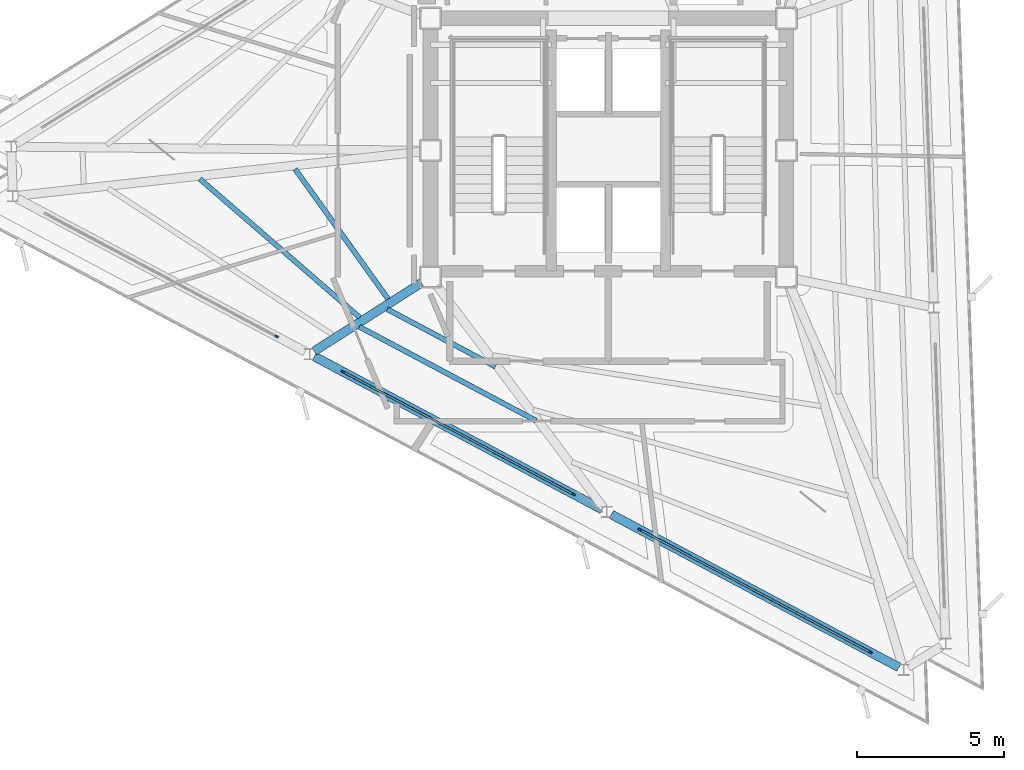
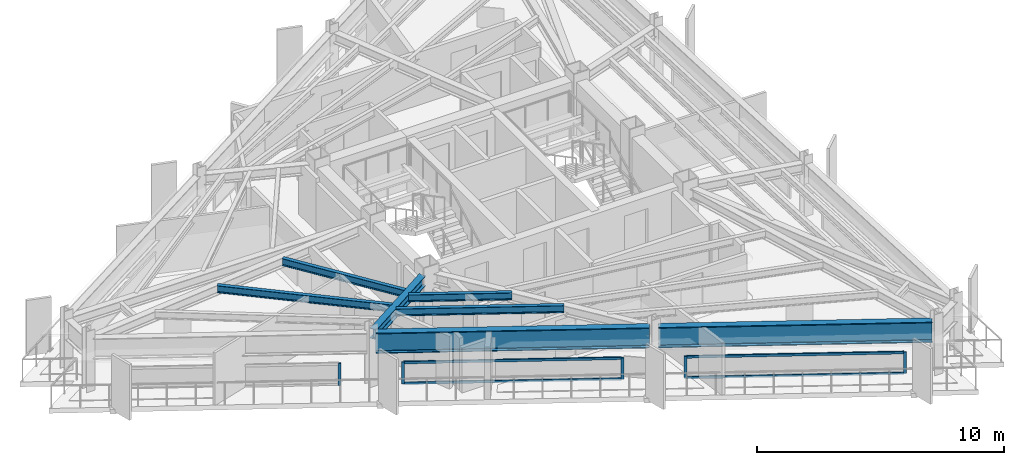
# One storey, part 2 of 13: 9 members, 7 beams, 3 elements without a shape of their own.
"""IFC4 building model written with IfcOpenShell, lengths in metres."""

from ifc_helpers import new_model, si_unit, direction, frame, origin, origin_2d, place, context, subcontext, project, spatial, rectangle, i_section, extrude, material, layer, layer_set, material_profile, profile_set, type_object, element, aggregate, save


model = new_model("IFC4")

# Units and contexts
model_context = context("Model", 3, precision=1e-05, world=origin(), true_north=direction((0.0, 1.0)))
body_context = subcontext(model_context, "Body", "Model", "MODEL_VIEW")
ifc_project = project(units=[si_unit("LENGTHUNIT", "METRE"), si_unit("AREAUNIT", "SQUARE_METRE"), si_unit("VOLUMEUNIT", "CUBIC_METRE"), si_unit("PLANEANGLEUNIT", "RADIAN"), si_unit("MASSUNIT", "GRAM", prefix="KILO")], contexts=[model_context])

# Site, building, storey
site_placement = place(None, origin())
site = spatial("IfcSite", under=ifc_project, at=site_placement, CompositionType="ELEMENT")
building_placement = place(site_placement, origin())
building = spatial("IfcBuilding", under=site, at=building_placement, Name="Rocaltana Carrier Exchange", CompositionType="ELEMENT")
storey_placement = place(building_placement, frame((0.0, 0.0, 211.840087890625)))
storey = spatial("IfcBuildingStorey", under=building, at=storey_placement, Name="L67", CompositionType="ELEMENT", Elevation=211.840087890625)

# Curtain wall, member
ifc_material_1 = material(Name="Aluminium 6063-T6", Category="aluminium")
ifc_layer = layer(ifc_material_1, 0.1201171875)
ifc_layer_set = layer_set([ifc_layer], Name="Aluminium 6063-T6")
curtain_wall_type = type_object("IfcCurtainWallType", Name="High-Altitude Thermal Curtain Wall CW-05", PredefinedType="NOTDEFINED", material=ifc_layer_set)
curtain_wall_1_placement = place(storey_placement, origin())
curtain_wall_1 = element("IfcCurtainWall", 1, at=curtain_wall_1_placement, inside=storey, type_object=curtain_wall_type, Name="L67 CW-05 Run CW-L67-F3S1", PredefinedType="NOTDEFINED")
ifc_material_2 = material(Name="Aluminium 6063-T6", Category="aluminium")
ifc_material_profile_1 = material_profile(ifc_material_2, rectangle(XDim=0.06005859375, YDim=0.1201171875, at=origin_2d()), Name="AL-60X120")
ifc_profile_set_1 = profile_set([ifc_material_profile_1], Name="Aluminium 6063-T6")
member_type_1 = type_object("IfcMemberType", Name="CW-05 Mullion AL-60X120", PredefinedType="MULLION", material=ifc_profile_set_1)
member_1_placement = place(storey_placement, frame((-11.282958984375, -6.31689453125, 0.0), z_axis=(0.0, 0.0, 1.0), x_axis=(0.469483388841, 0.882941304732, 0.0)))
member_1 = element("IfcMember", 2, at=member_1_placement, type_object=member_type_1, Name="CW-05 mullion 2", PredefinedType="MULLION", context=body_context, shape_type="SweptSolid", body=[
    extrude(rectangle(XDim=0.06005859375, YDim=0.1201171875, at=origin_2d()), origin(), (0.0, 0.0, 1.0), 1.077880859375),
])
aggregate(curtain_wall_1, [member_1])

# Curtain wall, members
curtain_wall_2_placement = place(storey_placement, origin())
curtain_wall_2 = element("IfcCurtainWall", 3, at=curtain_wall_2_placement, inside=storey, type_object=curtain_wall_type, Name="L67 CW-05 Run CW-L67-F3S2", PredefinedType="NOTDEFINED")
member_2_placement = place(storey_placement, frame((-9.0224609375, -7.5185546875, 0.0), z_axis=(0.0, 0.0, 1.0), x_axis=(0.469479302335, 0.882943477624, 0.0)))
member_2 = element("IfcMember", 4, at=member_2_placement, type_object=member_type_1, Name="CW-05 mullion 1", PredefinedType="MULLION", context=body_context, shape_type="SweptSolid", body=[
    extrude(rectangle(XDim=0.06005859375, YDim=0.1201171875, at=origin_2d()), origin(), (0.0, 0.0, 1.0), 1.077880859375),
])
member_3_placement = place(storey_placement, frame((-1.18798828125, -11.684326171875, 0.0), z_axis=(0.0, 0.0, 1.0), x_axis=(0.469479302335, 0.882943477624, 0.0)))
member_3 = element("IfcMember", 5, at=member_3_placement, type_object=member_type_1, Name="CW-05 mullion 2", PredefinedType="MULLION", context=body_context, shape_type="SweptSolid", body=[
    extrude(rectangle(XDim=0.06005859375, YDim=0.1201171875, at=origin_2d()), origin(), (0.0, 0.0, 1.0), 1.077880859375),
])

curtain_wall_3_placement = place(storey_placement, origin())
curtain_wall_3 = element("IfcCurtainWall", 6, at=curtain_wall_3_placement, inside=storey, type_object=curtain_wall_type, Name="L67 CW-05 Run CW-L67-F3S3", PredefinedType="NOTDEFINED")
member_4_placement = place(storey_placement, frame((1.072509765625, -12.88623046875, 0.0), z_axis=(0.0, 0.0, 1.0), x_axis=(0.469474662173, 0.882945944879, 0.0)))
member_4 = element("IfcMember", 7, at=member_4_placement, type_object=member_type_1, Name="CW-05 mullion 1", PredefinedType="MULLION", context=body_context, shape_type="SweptSolid", body=[
    extrude(rectangle(XDim=0.06005859375, YDim=0.1201171875, at=origin_2d()), origin(), (0.0, 0.0, 1.0), 1.077880859375),
])
member_5_placement = place(storey_placement, frame((8.9072265625, -17.052001953125, 0.0), z_axis=(0.0, 0.0, 1.0), x_axis=(0.469474662173, 0.882945944879, 0.0)))
member_5 = element("IfcMember", 8, at=member_5_placement, type_object=member_type_1, Name="CW-05 mullion 2", PredefinedType="MULLION", context=body_context, shape_type="SweptSolid", body=[
    extrude(rectangle(XDim=0.06005859375, YDim=0.1201171875, at=origin_2d()), origin(), (0.0, 0.0, 1.0), 1.077880859375),
])

# Member
ifc_material_3 = material(Name="Aluminium 6063-T6", Category="aluminium")
ifc_material_profile_2 = material_profile(ifc_material_3, rectangle(XDim=0.06005859375, YDim=0.1201171875, at=origin_2d()), Name="AL-60X120")
ifc_profile_set_2 = profile_set([ifc_material_profile_2], Name="Aluminium 6063-T6")
member_type_2 = type_object("IfcMemberType", Name="CW-05 Transom AL-60X120", PredefinedType="USERDEFINED", material=ifc_profile_set_2)
member_6_placement = place(storey_placement, frame((-8.99609375, -7.53271484375, 0.030029296875), z_axis=(0.882944221824, -0.469477902726, 0.0), x_axis=(0.469477902726, 0.882944221824, 0.0)))
member_6 = element("IfcMember", 9, at=member_6_placement, type_object=member_type_2, Name="CW-05 transom 1.1", ObjectType="TRANSOM", PredefinedType="USERDEFINED", context=body_context, shape_type="SweptSolid", body=[
    extrude(rectangle(XDim=0.06005859375, YDim=0.1201171875, at=origin_2d()), origin(), (0.0, 0.0, 1.0), 8.8134765625),
])

member_7_placement = place(storey_placement, frame((-8.99609375, -7.53271484375, 1.0478515625), z_axis=(0.882944221824, -0.469477902726, 0.0), x_axis=(0.469477902726, 0.882944221824, 0.0)))
member_7 = element("IfcMember", 10, at=member_7_placement, type_object=member_type_2, Name="CW-05 transom 1.2", ObjectType="TRANSOM", PredefinedType="USERDEFINED", context=body_context, shape_type="SweptSolid", body=[
    extrude(rectangle(XDim=0.06005859375, YDim=0.1201171875, at=origin_2d()), origin(), (0.0, 0.0, 1.0), 8.8134765625),
])

aggregate(curtain_wall_2, [member_2, member_3, member_6, member_7])

member_8_placement = place(storey_placement, frame((1.098876953125, -12.900146484375, 0.030029296875), z_axis=(0.882944221824, -0.469477902726, 0.0), x_axis=(0.469477902726, 0.882944221824, 0.0)))
member_8 = element("IfcMember", 11, at=member_8_placement, type_object=member_type_2, Name="CW-05 transom 1.1", ObjectType="TRANSOM", PredefinedType="USERDEFINED", context=body_context, shape_type="SweptSolid", body=[
    extrude(rectangle(XDim=0.06005859375, YDim=0.1201171875, at=origin_2d()), origin(), (0.0, 0.0, 1.0), 8.8134765625),
])

member_9_placement = place(storey_placement, frame((1.098876953125, -12.900146484375, 1.0478515625), z_axis=(0.882944221824, -0.469477902726, 0.0), x_axis=(0.469477902726, 0.882944221824, 0.0)))
member_9 = element("IfcMember", 12, at=member_9_placement, type_object=member_type_2, Name="CW-05 transom 1.2", ObjectType="TRANSOM", PredefinedType="USERDEFINED", context=body_context, shape_type="SweptSolid", body=[
    extrude(rectangle(XDim=0.06005859375, YDim=0.1201171875, at=origin_2d()), origin(), (0.0, 0.0, 1.0), 8.8134765625),
])

aggregate(curtain_wall_3, [member_4, member_5, member_8, member_9])

# Beams
ifc_material_4 = material(Name="Steel S355", Category="steel")
ifc_material_profile_3 = material_profile(ifc_material_4, i_section(OverallWidth=0.172119140625, OverallDepth=0.35791015625, WebThickness=0.0078125, FlangeThickness=0.01318359375, FilletRadius=0.011962890625, at=origin_2d()), Name="W14X38")
ifc_profile_set_3 = profile_set([ifc_material_profile_3], Name="Steel S355")
beam_type_1 = type_object("IfcBeamType", Name="Floor Joist W14X38", PredefinedType="JOIST", material=ifc_profile_set_3)
beam_1_placement = place(storey_placement, frame((-10.6513671875, -0.628662109375, 2.43896484375), z_axis=(0.582177044628, -0.813062044809, 0.0), x_axis=(0.813062044809, 0.582177044628, 0.0)))
element("IfcBeam", 13, at=beam_1_placement, inside=storey, type_object=beam_type_1, Name="FJ-L67-09-1", PredefinedType="JOIST", context=body_context, shape_type="SweptSolid", body=[
    extrude(i_section(OverallWidth=0.172119140625, OverallDepth=0.35791015625, WebThickness=0.0078125, FlangeThickness=0.01318359375, FilletRadius=0.011962890625, at=origin_2d()), origin(), (0.0, 0.0, 1.0), 5.43408203125),
])
beam_2_placement = place(storey_placement, frame((-13.891845703125, -0.96240234375, 2.43896484375), z_axis=(0.75579772027, -0.65480516647, 0.0), x_axis=(0.65480516647, 0.75579772027, 0.0)))
element("IfcBeam", 14, at=beam_2_placement, inside=storey, type_object=beam_type_1, Name="FJ-L67-09-2", PredefinedType="JOIST", context=body_context, shape_type="SweptSolid", body=[
    extrude(i_section(OverallWidth=0.172119140625, OverallDepth=0.35791015625, WebThickness=0.0078125, FlangeThickness=0.01318359375, FilletRadius=0.011962890625, at=origin_2d()), origin(), (0.0, 0.0, 1.0), 7.19189453125),
])
beam_3_placement = place(storey_placement, frame((-7.52294921875, -5.388427734375, 2.43896484375), z_axis=(0.882943632654, -0.469479010773, 0.0), x_axis=(0.469479010773, 0.882943632654, 0.0)))
element("IfcBeam", 15, at=beam_3_placement, inside=storey, type_object=beam_type_1, Name="FJ-L67-10-1", PredefinedType="JOIST", context=body_context, shape_type="SweptSolid", body=[
    extrude(i_section(OverallWidth=0.172119140625, OverallDepth=0.35791015625, WebThickness=0.0078125, FlangeThickness=0.01318359375, FilletRadius=0.011962890625, at=origin_2d()), origin(), (0.0, 0.0, 1.0), 4.171142578125),
])
beam_4_placement = place(storey_placement, frame((-8.466552734375, -5.990478515625, 2.43896484375), z_axis=(0.882938567036, -0.469488537496, 0.0), x_axis=(0.469488537496, 0.882938567036, 0.0)))
element("IfcBeam", 16, at=beam_4_placement, inside=storey, type_object=beam_type_1, Name="FJ-L67-10-2", PredefinedType="JOIST", context=body_context, shape_type="SweptSolid", body=[
    extrude(i_section(OverallWidth=0.172119140625, OverallDepth=0.35791015625, WebThickness=0.0078125, FlangeThickness=0.01318359375, FilletRadius=0.011962890625, at=origin_2d()), origin(), (0.0, 0.0, 1.0), 6.80078125),
])
ifc_material_5 = material(Name="Steel S460", Category="steel")
ifc_material_profile_4 = material_profile(ifc_material_5, i_section(OverallWidth=0.302001953125, OverallDepth=1.008056640625, WebThickness=0.02099609375, FlangeThickness=0.0400390625, FilletRadius=0.030029296875, at=origin_2d()), Name="HEM1000")
ifc_profile_set_4 = profile_set([ifc_material_profile_4], Name="Steel S460")
beam_type_2 = type_object("IfcBeamType", Name="Transfer Ring Girder HEM1000", PredefinedType="USERDEFINED", material=ifc_profile_set_4)
beam_5_placement = place(storey_placement, frame((-9.994140625, -7.001953125, 2.114013671875), z_axis=(0.882947252339, -0.46947220321, 0.0), x_axis=(0.46947220321, 0.882947252339, 0.0)))
element("IfcBeam", 17, at=beam_5_placement, inside=storey, type_object=beam_type_2, Name="SP-L67-10", ObjectType="TRANSFER GIRDER", PredefinedType="USERDEFINED", context=body_context, shape_type="SweptSolid", body=[
    extrude(i_section(OverallWidth=0.302001953125, OverallDepth=1.008056640625, WebThickness=0.02099609375, FlangeThickness=0.0400390625, FilletRadius=0.030029296875, at=origin_2d()), origin(), (0.0, 0.0, 1.0), 11.073974609375),
])
beam_6_placement = place(storey_placement, frame((0.100830078125, -12.36962890625, 2.114013671875), z_axis=(0.882952111254, -0.469463064821, 0.0), x_axis=(0.469463064821, 0.882952111254, 0.0)))
element("IfcBeam", 18, at=beam_6_placement, inside=storey, type_object=beam_type_2, Name="SP-L67-11", ObjectType="TRANSFER GIRDER", PredefinedType="USERDEFINED", context=body_context, shape_type="SweptSolid", body=[
    extrude(i_section(OverallWidth=0.302001953125, OverallDepth=1.008056640625, WebThickness=0.02099609375, FlangeThickness=0.0400390625, FilletRadius=0.030029296875, at=origin_2d()), origin(), (0.0, 0.0, 1.0), 11.07421875),
])
ifc_material_6 = material(Name="Steel S355", Category="steel")
ifc_material_profile_5 = material_profile(ifc_material_6, i_section(OverallWidth=0.300048828125, OverallDepth=0.5, WebThickness=0.014404296875, FlangeThickness=0.028076171875, FilletRadius=0.027099609375, at=origin_2d()), Name="HEB500")
ifc_profile_set_5 = profile_set([ifc_material_profile_5], Name="Steel S355")
beam_type_3 = type_object("IfcBeamType", Name="Upper Radial Girder HEB500", PredefinedType="BEAM", material=ifc_profile_set_5)
beam_7_placement = place(storey_placement, frame((-6.359375, -4.497314453125, 2.367919921875), z_axis=(-0.843002356226, -0.537909869213, 0.0), x_axis=(0.537909869213, -0.843002356226, 0.0)))
element("IfcBeam", 19, at=beam_7_placement, inside=storey, type_object=beam_type_3, Name="RG-L67-10", PredefinedType="BEAM", context=body_context, shape_type="SweptSolid", body=[
    extrude(i_section(OverallWidth=0.300048828125, OverallDepth=0.5, WebThickness=0.014404296875, FlangeThickness=0.028076171875, FilletRadius=0.027099609375, at=origin_2d()), origin(), (0.0, 0.0, 1.0), 4.3203125),
])

save(model, "model.ifc")
